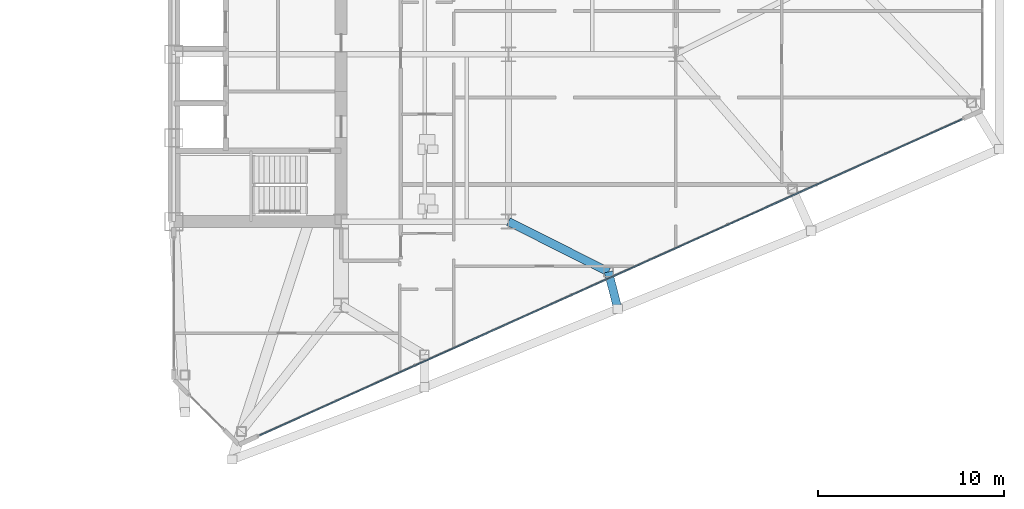
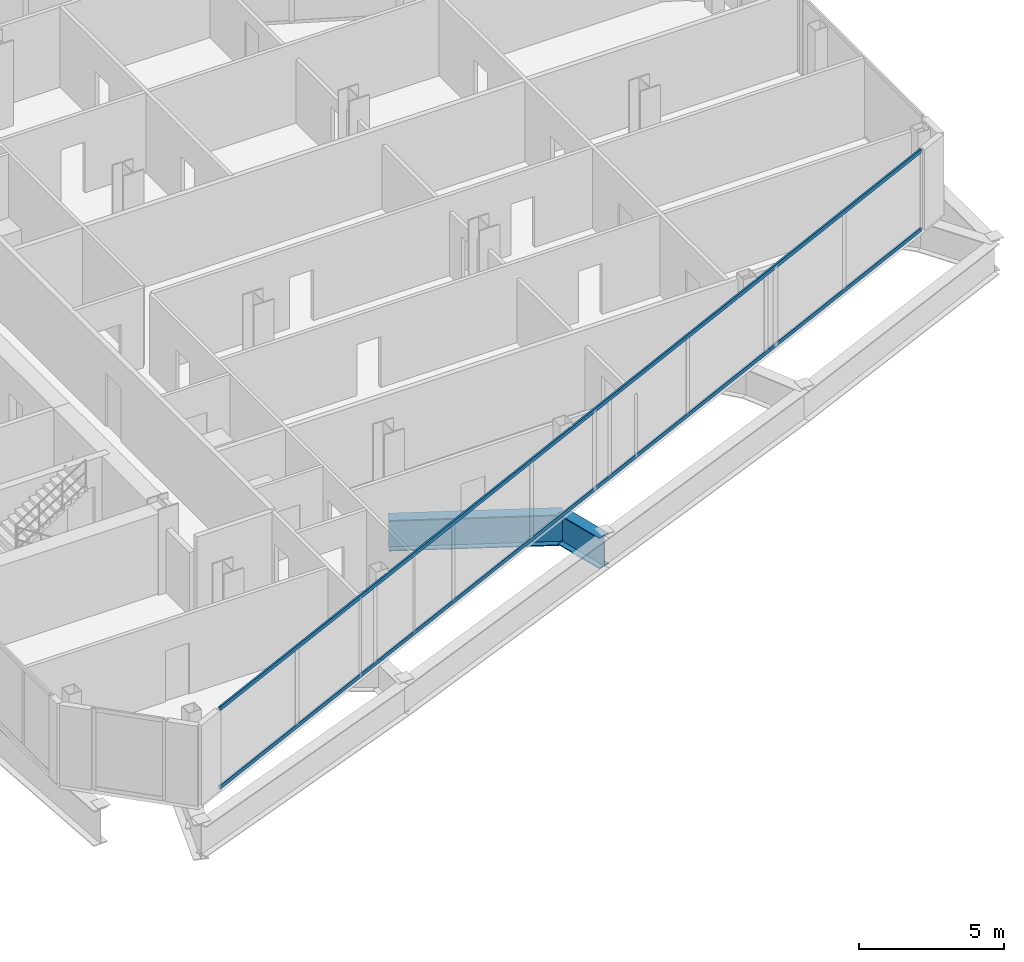
# One storey, part 12 of 29: 2 beams, 2 members, 1 element without a shape of its own.
"""IFC4 building model written with IfcOpenShell, lengths in metres."""

from ifc_helpers import new_model, si_unit, direction, frame, origin, origin_2d, place, context, subcontext, project, spatial, rectangle, i_section, extrude, source, transform, mapped, material, layer, layer_set, material_profile, profile_set, type_object, type_shapes, element, aggregate, save


model = new_model("IFC4")

# Units and contexts
model_context = context("Model", 3, precision=1e-05, world=origin(), true_north=direction((0.0, 1.0)))
body_context = subcontext(model_context, "Body", "Model", "MODEL_VIEW")
ifc_project = project(units=[si_unit("LENGTHUNIT", "METRE"), si_unit("AREAUNIT", "SQUARE_METRE"), si_unit("VOLUMEUNIT", "CUBIC_METRE"), si_unit("PLANEANGLEUNIT", "RADIAN"), si_unit("MASSUNIT", "GRAM", prefix="KILO")], contexts=[model_context])

# Site, building, storey
site_placement = place(None, origin())
site = spatial("IfcSite", under=ifc_project, at=site_placement, CompositionType="ELEMENT")
building_placement = place(site_placement, origin())
building = spatial("IfcBuilding", under=site, at=building_placement, Name="Seokmaru Belvedere", CompositionType="ELEMENT")
storey_placement = place(building_placement, frame((0.0, 0.0, 62.10009765625)))
storey = spatial("IfcBuildingStorey", under=building, at=storey_placement, Name="L16", CompositionType="ELEMENT", Elevation=62.10009765625)

# Beams
ifc_material_1 = material(Name="Steel HSA650 (650 MPa)", Category="steel")
ifc_material_profile_1 = material_profile(ifc_material_1, i_section(OverallWidth=0.449951171875, OverallDepth=1.300048828125, WebThickness=0.02197265625, FlangeThickness=0.0380859375, at=origin_2d()), Name="BH-1300x450x22x38")
ifc_profile_set_1 = profile_set([ifc_material_profile_1], Name="Steel HSA650 (650 MPa)")
beam_type = type_object("IfcBeamType", Name="Observatory Long-Span Roof Girder BH-1300", PredefinedType="BEAM", material=ifc_profile_set_1)
shared_shape_1 = source(origin(), body_context, "Body", "SweptSolid", [
    extrude(i_section(OverallWidth=0.449951171875, OverallDepth=1.300048828125, WebThickness=0.02197265625, FlangeThickness=0.0380859375, at=origin_2d()), origin(), (0.0, 0.0, 1.0), 2.06103515625),
])
beam_1_placement = place(storey_placement, frame((51.378173828125, -18.2041015625, -0.8701171875), z_axis=(-0.244123913396, 0.96974404608, 0.0), x_axis=(-0.96974404608, -0.244123913396, 0.0)))
element("IfcBeam", 1, at=beam_1_placement, inside=storey, type_object=beam_type, Name="L16 E Flank Setback Step Girder S-2", PredefinedType="BEAM", context=body_context, shape_type="MappedRepresentation", body=[
    mapped(shared_shape_1, transform((0.0, 0.0, 0.0), scale=1.0)),
])
shared_shape_2 = source(origin(), body_context, "Body", "SweptSolid", [
    extrude(i_section(OverallWidth=0.449951171875, OverallDepth=1.300048828125, WebThickness=0.02197265625, FlangeThickness=0.0380859375, at=origin_2d()), origin(), (0.0, 0.0, 1.0), 6.017333984375),
])
type_shapes(beam_type, [shared_shape_1, shared_shape_2])
beam_2_placement = place(storey_placement, frame((50.875, -16.205322265625, -0.8701171875), z_axis=(-0.893239341975, 0.449581447512, 0.0), x_axis=(-0.449581447512, -0.893239341975, 0.0)))
element("IfcBeam", 2, at=beam_2_placement, inside=storey, type_object=beam_type, Name="L16 E Flank Setback Back-Span Girder S-2", PredefinedType="BEAM", context=body_context, shape_type="MappedRepresentation", body=[
    mapped(shared_shape_2, transform((0.0, 0.0, 0.0), scale=1.0)),
])

# Curtain wall, members
ifc_material_2 = material(Name="Bronze Triple Insulating Glass", Category="glass")
ifc_layer = layer(ifc_material_2, 0.195068359375)
ifc_layer_set = layer_set([ifc_layer], Name="Bronze Triple Insulating Glass")
curtain_wall_type = type_object("IfcCurtainWallType", Name="Lower-Mid Tapered Curtain Wall System CW-3", PredefinedType="NOTDEFINED", material=ifc_layer_set)
curtain_wall_placement = place(storey_placement, origin())
curtain_wall = element("IfcCurtainWall", 3, at=curtain_wall_placement, inside=storey, type_object=curtain_wall_type, Name="L16 Curtain Wall EF1", PredefinedType="NOTDEFINED")
ifc_material_3 = material(Name="Anodised Bronze Aluminium", Category="aluminium")
ifc_material_profile_2 = material_profile(ifc_material_3, rectangle(XDim=0.070068359375, YDim=0.1650390625, at=origin_2d()), Name="CW-T-70x165")
ifc_profile_set_2 = profile_set([ifc_material_profile_2], Name="Anodised Bronze Aluminium")
member_type = type_object("IfcMemberType", Name="Bronze Unitised Transom 70x165", PredefinedType="USERDEFINED", material=ifc_profile_set_2)
shared_shape_3 = source(origin(), body_context, "Body", "SweptSolid", [
    extrude(rectangle(XDim=0.070068359375, YDim=0.1650390625, at=origin_2d()), origin(), (0.0, 0.0, 1.0), 41.423583984375),
])
type_shapes(member_type, [shared_shape_3])
member_1_placement = place(storey_placement, frame((32.112548828125, -24.99951171875, 0.034912109375), z_axis=(0.911918637916, 0.410371048956, 0.0), x_axis=(-0.410371048956, 0.911918637916, 0.0)))
member_1 = element("IfcMember", 4, at=member_1_placement, type_object=member_type, Name="CW:L16:EF1 Continuous Transom 1", ObjectType="TRANSOM", PredefinedType="USERDEFINED", context=body_context, shape_type="MappedRepresentation", body=[
    mapped(shared_shape_3, transform((0.0, 0.0, 0.0), scale=1.0)),
])
member_2_placement = place(storey_placement, frame((32.112548828125, -24.99951171875, 3.344970703125), z_axis=(0.911918637916, 0.410371048956, 0.0), x_axis=(-0.410371048956, 0.911918637916, 0.0)))
member_2 = element("IfcMember", 5, at=member_2_placement, type_object=member_type, Name="CW:L16:EF1 Continuous Transom 2", ObjectType="TRANSOM", PredefinedType="USERDEFINED", context=body_context, shape_type="MappedRepresentation", body=[
    mapped(shared_shape_3, transform((0.0, 0.0, 0.0), scale=1.0)),
])
aggregate(curtain_wall, [member_1, member_2])

save(model, "model.ifc")
